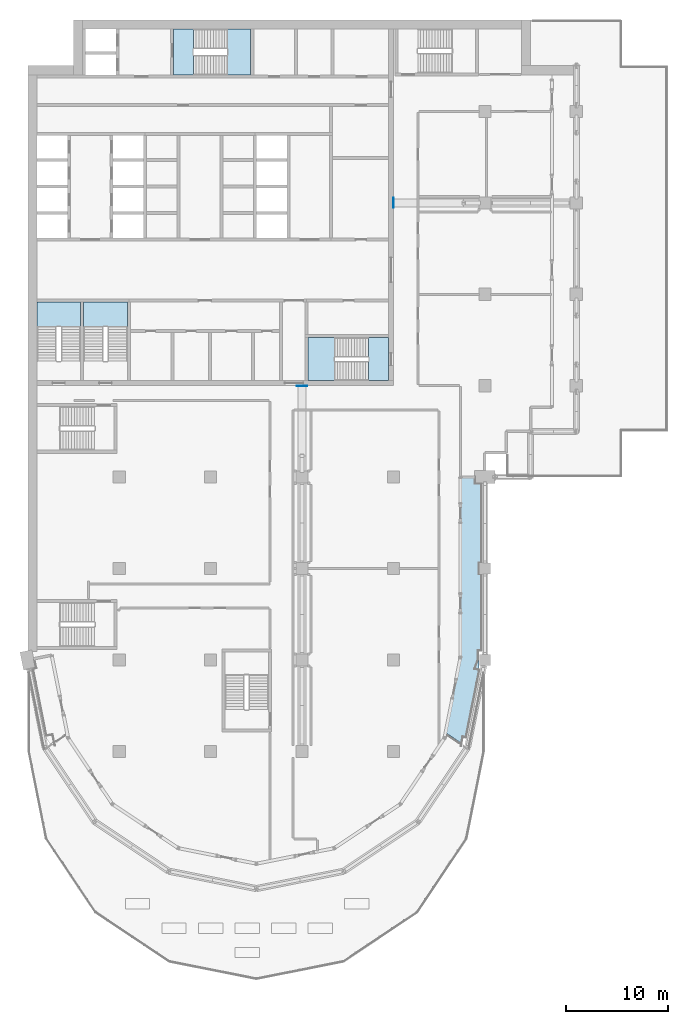
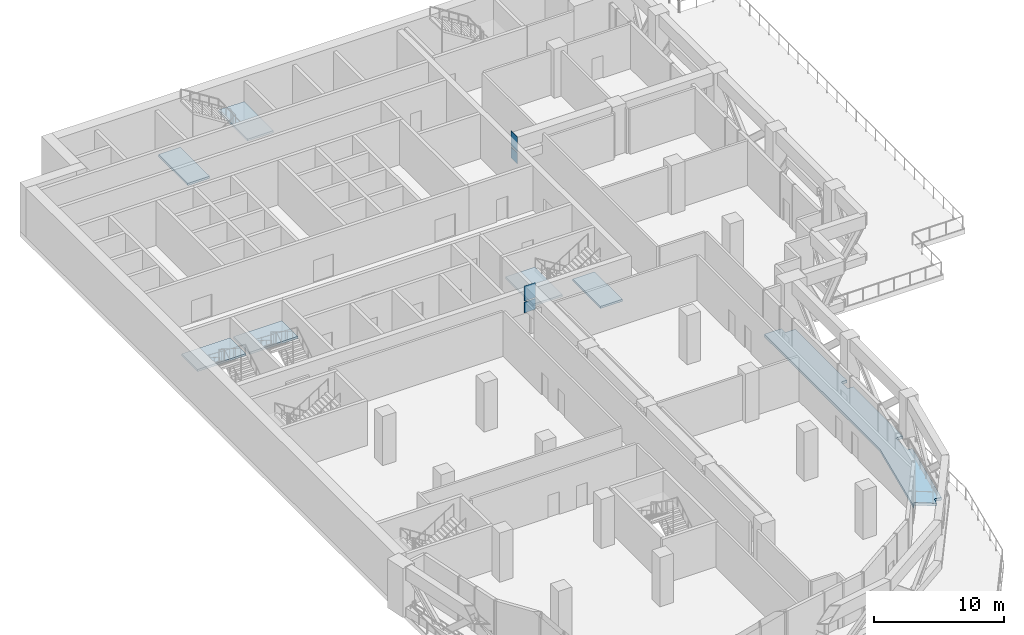
# One storey, part 5 of 20: 7 slabs, 4 plates, 4 elements without a shape of their own.
"""IFC4 building model written with IfcOpenShell, lengths in metres."""

from ifc_helpers import new_model, si_unit, direction, frame, origin, origin_2d, place, context, subcontext, project, spatial, polyline, rectangle, outline, extrude, material, layer, layer_set, type_object, element, aggregate, save


model = new_model("IFC4")

# Units and contexts
model_context = context("Model", 3, precision=1e-05, world=origin(), true_north=direction((0.0, 1.0)))
body_context = subcontext(model_context, "Body", "Model", "MODEL_VIEW")
ifc_project = project(units=[si_unit("LENGTHUNIT", "METRE"), si_unit("AREAUNIT", "SQUARE_METRE"), si_unit("VOLUMEUNIT", "CUBIC_METRE"), si_unit("PLANEANGLEUNIT", "RADIAN"), si_unit("MASSUNIT", "GRAM", prefix="KILO")], contexts=[model_context])

# Site, building, storey
site_placement = place(None, origin())
site = spatial("IfcSite", under=ifc_project, at=site_placement, CompositionType="ELEMENT")
building_placement = place(site_placement, origin())
building = spatial("IfcBuilding", under=site, at=building_placement, Name="Hunhe Ridgeline Campus", CompositionType="ELEMENT")
storey_placement = place(building_placement, frame((0.0, 0.0, 178.199951171875)))
storey = spatial("IfcBuildingStorey", under=building, at=storey_placement, Name="L45", CompositionType="ELEMENT", Elevation=178.199951171875)

# Plates
ifc_material_1 = material(Name="Steel Q420", Category="steel")
ifc_layer_1 = layer(ifc_material_1, 0.0400390625)
ifc_layer_set_1 = layer_set([ifc_layer_1], Name="Cast-in plate 1000x1000x40 Steel Q420")
plate_type_1 = type_object("IfcPlateType", Name="Cast-in plate 1000x1000x40 Steel Q420", PredefinedType="SHEET", material=ifc_layer_set_1)
for number, where, z_axis, x_axis, name in (
    (1, (36.02001953125, 81.0, 2.199951171875), (0.0, 0.0, 1.0), (1.0, 0.0, 0.0), "Cast-in plate OR1 bottom chord L45"),
    (2, (27.0, 62.97998046875, 2.199951171875), (0.0, 0.0, 1.0), (0.0, -1.0, 0.0), "Cast-in plate OR2 bottom chord L45"),
):
    element("IfcPlate", number, at=place(storey_placement, frame(where, z_axis=z_axis, x_axis=x_axis)), inside=storey, type_object=plate_type_1, Name=name, PredefinedType="SHEET", context=body_context, shape_type="SweptSolid", body=[
        extrude(rectangle(XDim=0.0400390625, YDim=1.0, at=origin_2d()), origin(), (0.0, 0.0, 1.0), 1.0),
    ])
ifc_layer_2 = layer(ifc_material_1, 0.0400390625)
ifc_layer_set_2 = layer_set([ifc_layer_2], Name="Cast-in plate 1000x1400x40 Steel Q420")
plate_type_2 = type_object("IfcPlateType", Name="Cast-in plate 1000x1400x40 Steel Q420", PredefinedType="SHEET", material=ifc_layer_set_2)
for number, where, z_axis, x_axis, name in (
    (3, (36.02001953125, 81.0, 3.300048828125), (0.0, 0.0, 1.0), (1.0, 0.0, 0.0), "Cast-in plate OR1 top chord L45"),
    (4, (27.0, 62.97998046875, 3.300048828125), (0.0, 0.0, 1.0), (0.0, -1.0, 0.0), "Cast-in plate OR2 top chord L45"),
):
    element("IfcPlate", number, at=place(storey_placement, frame(where, z_axis=z_axis, x_axis=x_axis)), inside=storey, type_object=plate_type_2, Name=name, PredefinedType="SHEET", context=body_context, shape_type="SweptSolid", body=[
        extrude(rectangle(XDim=0.0400390625, YDim=1.0, at=origin_2d()), origin(), (0.0, 0.0, 1.0), 1.39990234375),
    ])

# Slab
ifc_material_2 = material(Name="Concrete C40", Category="concrete")
ifc_layer_3 = layer(ifc_material_2, 0.25)
ifc_layer_set_3 = layer_set([ifc_layer_3], Name="Loggia slab 250 Concrete C40")
slab_type_1 = type_object("IfcSlabType", Name="Loggia slab 250 Concrete C40", PredefinedType="FLOOR", material=ifc_layer_set_3)
slab_1_placement = place(storey_placement, frame((0.0, 0.0, -0.25)))
element("IfcSlab", 5, at=slab_1_placement, inside=storey, type_object=slab_type_1, Name="Loggia slab 1", PredefinedType="FLOOR", context=body_context, shape_type="SweptSolid", body=[
    extrude(outline(polyline([(41.029052734375, 28.3388671875), (41.28759765625, 28.725830078125), (41.293212890625, 28.727783203125), (42.74853515625, 27.75634765625), (42.87451171875, 28.389404296875), (43.457763671875, 28.2734375), (44.81591796875, 35.10009765625), (44.39990234375, 35.10009765625), (44.39990234375, 36.89990234375), (45.0, 36.89990234375), (45.0, 44.5), (44.5, 44.5), (44.5, 45.5), (45.0, 45.5), (45.0, 53.39990234375), (44.10009765625, 53.39990234375), (44.10009765625, 54.0), (42.60009765625, 54.0), (42.60009765625, 36.236328125), (41.029052734375, 28.3388671875)])), origin(), (0.0, 0.0, 1.0), 0.25),
])

# Stair, slab
stair_type = type_object("IfcStairType", Name="Reinforced concrete dog-leg stair 1950 Concrete C40", PredefinedType="HALF_TURN_STAIR", material=ifc_material_2)
stair_1_placement = place(storey_placement, origin())
stair_1 = element("IfcStair", 6, at=stair_1_placement, inside=storey, type_object=stair_type, Name="L45 S1", PredefinedType="HALF_TURN_STAIR")
ifc_layer_4 = layer(ifc_material_2, 0.199951171875)
ifc_layer_set_4 = layer_set([ifc_layer_4], Name="Reinforced concrete stair landing 200 Concrete C40")
slab_type_2 = type_object("IfcSlabType", Name="Reinforced concrete stair landing 200 Concrete C40", PredefinedType="LANDING", material=ifc_layer_set_4)
slab_2_placement = place(storey_placement, frame((0.0, 0.0, 2.10009765625)))
slab_2 = element("IfcSlab", 7, at=slab_2_placement, type_object=slab_type_2, Name="ST1 landing 1", PredefinedType="LANDING", context=body_context, shape_type="SweptSolid", body=[
    extrude(outline(polyline([(19.659912109375, 93.60009765625), (21.949951171875, 93.60009765625), (21.949951171875, 98.10009765625), (19.659912109375, 98.10009765625), (19.659912109375, 93.60009765625)])), origin(), (0.0, 0.0, 1.0), 0.199951171875),
])
aggregate(stair_1, [slab_2])

# Slab
slab_3_placement = place(storey_placement, frame((0.0, 0.0, -0.199951171875)))
element("IfcSlab", 8, at=slab_3_placement, inside=storey, type_object=slab_type_2, Name="L45 stair S1 floor landing", PredefinedType="LANDING", context=body_context, shape_type="SweptSolid", body=[
    extrude(outline(polyline([(14.35009765625, 93.60009765625), (16.300048828125, 93.60009765625), (16.300048828125, 98.10009765625), (14.35009765625, 98.10009765625), (14.35009765625, 93.60009765625)])), origin(), (0.0, 0.0, 1.0), 0.199951171875),
])

# Stair, slab
stair_2_placement = place(storey_placement, origin())
stair_2 = element("IfcStair", 9, at=stair_2_placement, inside=storey, type_object=stair_type, Name="L45 S2", PredefinedType="HALF_TURN_STAIR")
slab_4_placement = place(storey_placement, frame((0.0, 0.0, 2.10009765625)))
slab_4 = element("IfcSlab", 10, at=slab_4_placement, type_object=slab_type_2, Name="ST2 landing 1", PredefinedType="LANDING", context=body_context, shape_type="SweptSolid", body=[
    extrude(outline(polyline([(30.18994140625, 67.75), (27.60009765625, 67.75), (27.60009765625, 63.5), (30.18994140625, 63.5), (30.18994140625, 67.75)])), origin(), (0.0, 0.0, 1.0), 0.199951171875),
])
aggregate(stair_2, [slab_4])

# Slab
slab_5_placement = place(storey_placement, frame((0.0, 0.0, -0.199951171875)))
element("IfcSlab", 11, at=slab_5_placement, inside=storey, type_object=slab_type_2, Name="L45 stair S2 floor landing", PredefinedType="LANDING", context=body_context, shape_type="SweptSolid", body=[
    extrude(outline(polyline([(35.5, 67.75), (33.550048828125, 67.75), (33.550048828125, 63.5), (35.5, 63.5), (35.5, 67.75)])), origin(), (0.0, 0.0, 1.0), 0.199951171875),
])

# Stair, slab
stair_3_placement = place(storey_placement, origin())
stair_3 = element("IfcStair", 12, at=stair_3_placement, inside=storey, type_object=stair_type, Name="L45 S3", PredefinedType="HALF_TURN_STAIR")
slab_6_placement = place(storey_placement, frame((0.0, 0.0, 2.10009765625)))
slab_6 = element("IfcSlab", 13, at=slab_6_placement, type_object=slab_type_2, Name="ST3 landing 1", PredefinedType="LANDING", context=body_context, shape_type="SweptSolid", body=[
    extrude(outline(polyline([(5.199951171875, 68.81005859375), (5.199951171875, 71.25), (0.89990234375, 71.25), (0.89990234375, 68.81005859375), (5.199951171875, 68.81005859375)])), origin(), (0.0, 0.0, 1.0), 0.199951171875),
])
aggregate(stair_3, [slab_6])

stair_4_placement = place(storey_placement, origin())
stair_4 = element("IfcStair", 14, at=stair_4_placement, inside=storey, type_object=stair_type, Name="L45 S4", PredefinedType="HALF_TURN_STAIR")
slab_7_placement = place(storey_placement, frame((0.0, 0.0, 2.10009765625)))
slab_7 = element("IfcSlab", 15, at=slab_7_placement, type_object=slab_type_2, Name="ST4 landing 1", PredefinedType="LANDING", context=body_context, shape_type="SweptSolid", body=[
    extrude(outline(polyline([(9.800048828125, 68.81005859375), (9.800048828125, 71.25), (5.5, 71.25), (5.5, 68.81005859375), (9.800048828125, 68.81005859375)])), origin(), (0.0, 0.0, 1.0), 0.199951171875),
])
aggregate(stair_4, [slab_7])

save(model, "model.ifc")
